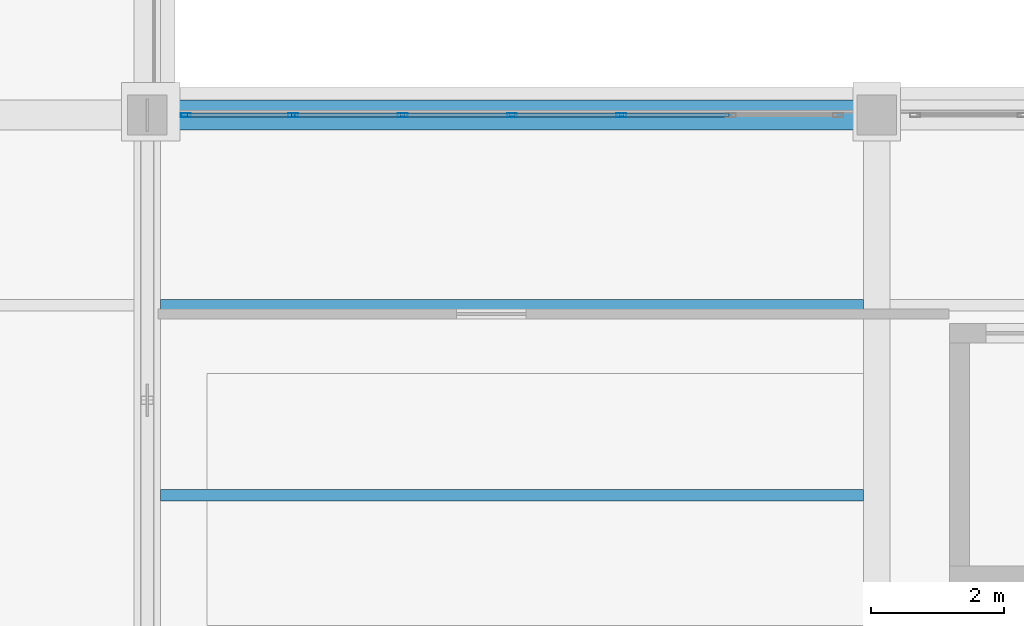
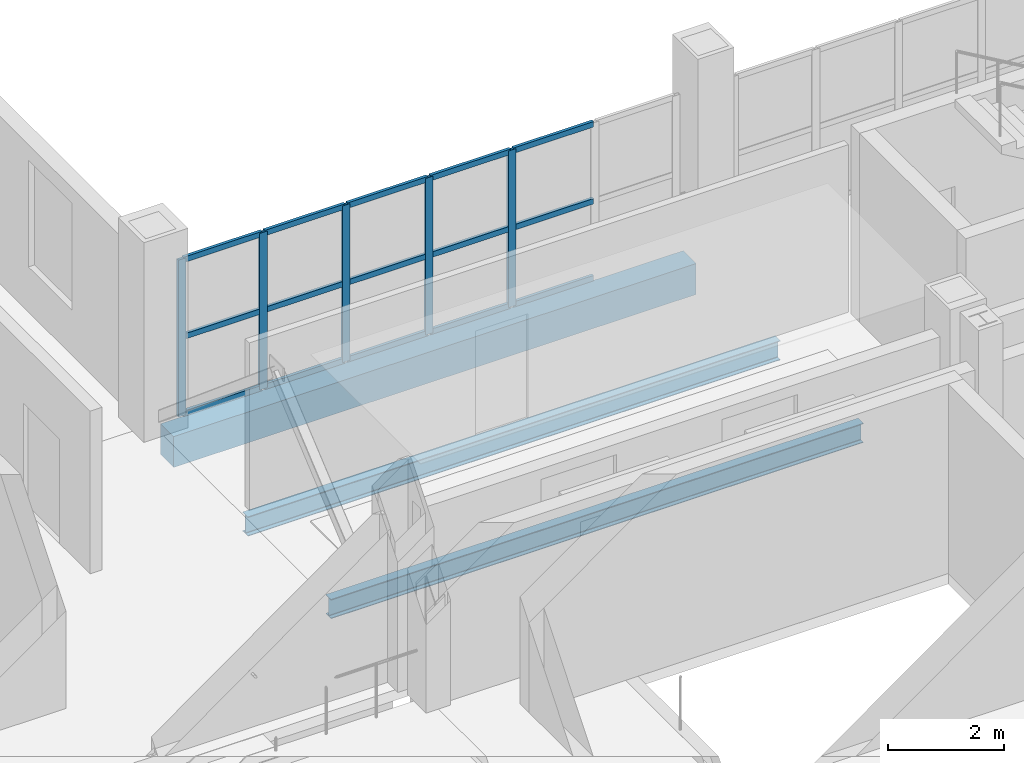
# One storey, part 53 of 120: 20 members, 3 beams, 1 element without a shape of its own.
"""IFC4 building model written with IfcOpenShell, lengths in metres."""

import ifcopenshell
import ifcopenshell.guid

model = None  # the IFC model being written
_history = None  # IfcOwnerHistory: only IFC2X3 demands one
_inside = {}  # id of a spatial element -> (the spatial element, [elements in it])
_under = {}  # id of a project, library or spatial element -> (it, [spatial elements below it])
_declared = {}  # id of a project -> (the project, [libraries it declares])
_typed = {}  # id of a type object -> (the type object, [elements of that type])
_made_of = {}  # id of a material, layer set ... -> (it, [elements and type objects made of it])


def new_model(schema):
    """Start an empty IFC model of exactly this schema.

    Asked for "IFC4X3", IfcOpenShell would pick the latest addendum, in which some entities
    have other attributes; the version numbers below select the first issue.
    IFC2X3 requires an IfcOwnerHistory on every rooted entity: one is made here for all.
    """
    global model, _history
    if schema == "IFC4X3":
        model = ifcopenshell.file(schema_version=(4, 3, 0, 0))
    else:
        model = ifcopenshell.file(schema=schema)
    _inside.clear()
    _under.clear()
    _declared.clear()
    _typed.clear()
    _made_of.clear()
    _history = None
    if model.schema == "IFC2X3":
        org = make("IfcOrganization", Name="unknown")
        user = make(
            "IfcPersonAndOrganization",
            ThePerson=make("IfcPerson", FamilyName="unknown"),
            TheOrganization=org,
        )
        app = make(
            "IfcApplication",
            ApplicationDeveloper=org,
            Version="unknown",
            ApplicationFullName="unknown",
            ApplicationIdentifier="unknown",
        )
        _history = make(
            "IfcOwnerHistory",
            OwningUser=user,
            OwningApplication=app,
            ChangeAction="ADDED",
            CreationDate=0,
        )
    return model


def make(cls, **values):
    """One entity of the class cls with the attributes given. An attribute that is None is left unset."""
    return model.create_entity(
        cls, **{name: value for name, value in values.items() if value is not None}
    )


def rooted(cls, **values):
    """An entity with a GlobalId (a new one), such as an element, a storey or a relation."""
    return make(cls, GlobalId=ifcopenshell.guid.new(), OwnerHistory=_history, **values)


def si_unit(unit_type, name, prefix=None):
    """IfcSIUnit, for example si_unit("LENGTHUNIT", "METRE", prefix="MILLI")."""
    return make("IfcSIUnit", UnitType=unit_type, Prefix=prefix, Name=name)


def assignment(units):
    """IfcUnitAssignment: the units of a project."""
    return None if units is None else make("IfcUnitAssignment", Units=units)


def point(xyz):
    """IfcCartesianPoint."""
    return None if xyz is None else make("IfcCartesianPoint", Coordinates=xyz)


def direction(xyz):
    """IfcDirection."""
    return None if xyz is None else make("IfcDirection", DirectionRatios=xyz)


def frame(location, z_axis=None, x_axis=None):
    """IfcAxis2Placement3D, a coordinate frame: its origin and axes. An axis left out is left unset."""
    return make(
        "IfcAxis2Placement3D",
        Location=point(location),
        Axis=direction(z_axis),
        RefDirection=direction(x_axis),
    )


def frame_2d(location, x_axis=None):
    """IfcAxis2Placement2D, a coordinate frame in the plane: its origin and x axis."""
    return make(
        "IfcAxis2Placement2D", Location=point(location), RefDirection=direction(x_axis)
    )


def origin():
    """The frame at (0, 0, 0) with its axes left unset."""
    return frame((0.0, 0.0, 0.0))


def origin_2d():
    """The frame at (0, 0) in the plane with its x axis left unset."""
    return frame_2d((0.0, 0.0))


def place(relative_to, where):
    """IfcLocalPlacement: puts the frame where relative to a parent placement (None: the world)."""
    return make(
        "IfcLocalPlacement", PlacementRelTo=relative_to, RelativePlacement=where
    )


def context(
    kind, dimensions, precision=None, world=None, true_north=None, identifier=None
):
    """IfcGeometricRepresentationContext, for example the 3D "Model" context."""
    return make(
        "IfcGeometricRepresentationContext",
        ContextIdentifier=identifier,
        ContextType=kind,
        CoordinateSpaceDimension=dimensions,
        Precision=precision,
        WorldCoordinateSystem=world,
        TrueNorth=true_north,
    )


def subcontext(parent, identifier, kind, view, scale=None):
    """IfcGeometricRepresentationSubContext, for example "Body" below "Model"."""
    return make(
        "IfcGeometricRepresentationSubContext",
        ContextIdentifier=identifier,
        ContextType=kind,
        ParentContext=parent,
        TargetScale=scale,
        TargetView=view,
    )


def project(units=None, contexts=None):
    """IfcProject with its units and contexts."""
    return rooted(
        "IfcProject",
        Name="project",
        RepresentationContexts=contexts,
        UnitsInContext=assignment(units),
    )


def spatial(cls, under=None, at=None, **own):
    """A site, building, storey or space (cls), placed at a placement, below another one or the project."""
    s = rooted(cls, ObjectPlacement=at, **own)
    if under is not None:
        _under.setdefault(under.id(), (under, []))[1].append(s)
    return s


def profile(cls, at=None, kind="AREA", **sizes):
    """A parametric profile (cls). Its sizes go by their IFC names, for example OverallWidth=200.0."""
    return make(cls, ProfileType=kind, Position=at, **sizes)


def rectangle(**sizes):
    """IfcRectangleProfileDef."""
    return profile("IfcRectangleProfileDef", **sizes)


def hollow_rectangle(**sizes):
    """IfcRectangleHollowProfileDef."""
    return profile("IfcRectangleHollowProfileDef", **sizes)


def i_section(**sizes):
    """IfcIShapeProfileDef."""
    return profile("IfcIShapeProfileDef", **sizes)


def extrude(swept, where, along, depth):
    """IfcExtrudedAreaSolid: the profile swept, set in the frame where, extruded along a direction by depth."""
    return make(
        "IfcExtrudedAreaSolid",
        SweptArea=swept,
        Position=where,
        ExtrudedDirection=direction(along),
        Depth=depth,
    )


def shape(context_of_items, identifier, shape_type, items):
    """IfcShapeRepresentation: the items that make up one representation, for example the "Body"."""
    return make(
        "IfcShapeRepresentation",
        ContextOfItems=context_of_items,
        RepresentationIdentifier=identifier,
        RepresentationType=shape_type,
        Items=items,
    )


def material(Name=None, Category=None):
    """IfcMaterial."""
    return make("IfcMaterial", Name=Name, Category=Category)


def material_profile(
    of_material, cross_section, Name=None, Category=None, Priority=None
):
    """IfcMaterialProfile: a cross section and its material."""
    return make(
        "IfcMaterialProfile",
        Name=Name,
        Material=of_material,
        Profile=cross_section,
        Priority=Priority,
        Category=Category,
    )


def profile_set(profiles, Name=None, composite=None):
    """IfcMaterialProfileSet."""
    return make(
        "IfcMaterialProfileSet",
        Name=Name,
        MaterialProfiles=profiles,
        CompositeProfile=composite,
    )


def made_of(thing, what):
    """Note that an element or type object is made of a material, layer set ...; save() writes the relation."""
    if what is not None:
        _made_of.setdefault(what.id(), (what, []))[1].append(thing)
    return thing


def type_object(cls, material=None, **own):
    """A type object (cls), such as IfcWallType, which elements share."""
    return made_of(rooted(cls, **own), material)


def element(
    cls,
    number,
    at=None,
    inside=None,
    cuts=None,
    type_object=None,
    material=None,
    context=None,
    identifier="Body",
    shape_type=None,
    held_by="IfcProductDefinitionShape",
    body=None,
    shapes=None,
    **own,
):
    """One element of the class cls, such as IfcWall. Its Tag is "e" and its number.

    at: its placement. inside: the storey or other place that contains it. cuts: it is an
    opening in that element (IfcRelVoidsElement). A single representation is given by context,
    identifier, shape_type and body (its items); several are given by shapes. held_by: the class
    of the entity that holds the representations. save() writes the other relations.
    """
    e = rooted(cls, Tag="e%d" % number, ObjectPlacement=at, **own)
    if body is not None:
        shapes = [shape(context, identifier, shape_type, body)]
    if shapes is not None:
        e.Representation = make(held_by, Representations=shapes)
    if inside is not None:
        _inside.setdefault(inside.id(), (inside, []))[1].append(e)
    if cuts is not None:
        rooted(
            "IfcRelVoidsElement", RelatingBuildingElement=cuts, RelatedOpeningElement=e
        )
    if type_object is not None:
        _typed.setdefault(type_object.id(), (type_object, []))[1].append(e)
    return made_of(e, material)


def aggregate(whole, parts):
    """IfcRelAggregates: a whole, such as a stair, and the parts it consists of."""
    return rooted("IfcRelAggregates", RelatingObject=whole, RelatedObjects=parts)


def save(model, path):
    """Write the relations noted so far, then the file.

    IfcRelAggregates (storeys below a building ...), IfcRelContainedInSpatialStructure (elements
    in a storey), IfcRelDefinesByType, IfcRelAssociatesMaterial and IfcRelDeclares: one each for
    every whole, place, type object, material and project.
    """
    for whole, parts in _under.values():
        aggregate(whole, parts)
    for where, things in _inside.values():
        rooted(
            "IfcRelContainedInSpatialStructure",
            RelatedElements=things,
            RelatingStructure=where,
        )
    for kind, things in _typed.values():
        rooted("IfcRelDefinesByType", RelatedObjects=things, RelatingType=kind)
    for what, things in _made_of.values():
        rooted("IfcRelAssociatesMaterial", RelatedObjects=things, RelatingMaterial=what)
    for by, libraries in _declared.values():
        rooted("IfcRelDeclares", RelatingContext=by, RelatedDefinitions=libraries)
    model.write(path)


model = new_model("IFC4")

# Units and contexts
model_context = context("Model", 3, precision=1e-05, world=origin(), true_north=direction((0.0, 1.0)))
body_context = subcontext(model_context, "Body", "Model", "MODEL_VIEW")
ifc_project = project(units=[si_unit("LENGTHUNIT", "METRE"), si_unit("AREAUNIT", "SQUARE_METRE"), si_unit("VOLUMEUNIT", "CUBIC_METRE"), si_unit("PLANEANGLEUNIT", "RADIAN"), si_unit("MASSUNIT", "GRAM", prefix="KILO")], contexts=[model_context])

# Site, building, storey
site_placement = place(None, origin())
site = spatial("IfcSite", under=ifc_project, at=site_placement, CompositionType="ELEMENT")
building_placement = place(site_placement, origin())
building = spatial("IfcBuilding", under=site, at=building_placement, Name="Caurita Quay Ferry Terminal", CompositionType="ELEMENT")
storey_placement = place(building_placement, frame((0.0, 0.0, 9.89990234375)))
storey = spatial("IfcBuildingStorey", under=building, at=storey_placement, Name="L02", CompositionType="ELEMENT", Elevation=9.89990234375)

# Beams
ifc_material_1 = material(Name="Structural steel ASTM A992 Gr. 50", Category="steel")
ifc_material_profile_1 = material_profile(ifc_material_1, i_section(OverallWidth=0.1787109375, OverallDepth=0.408935546875, WebThickness=0.0087890625, FlangeThickness=0.014404296875, FilletRadius=0.011474609375, at=origin_2d()), Name="W16X45")
ifc_profile_set_1 = profile_set([ifc_material_profile_1], Name="Structural steel ASTM A992 Gr. 50")
beam_type_1 = type_object("IfcBeamType", Name="BM-JS-W16A", PredefinedType="JOIST", material=ifc_profile_set_1)
for number, where, z_axis, x_axis, name in (
    (1, (22.199951171875, 74.466796875, -0.42431640625), (1.0, 0.0, 0.0), (0.0, 1.0, 0.0), "L02 Beam JS-V5-L02-023"),
    (2, (22.199951171875, 77.333251953125, -0.42431640625), (1.0, 0.0, 0.0), (0.0, 1.0, 0.0), "L02 Beam JS-V5-L02-024"),
):
    element("IfcBeam", number, at=place(storey_placement, frame(where, z_axis=z_axis, x_axis=x_axis)), inside=storey, type_object=beam_type_1, Name=name, PredefinedType="JOIST", context=body_context, shape_type="SweptSolid", body=[
        extrude(i_section(OverallWidth=0.1787109375, OverallDepth=0.408935546875, WebThickness=0.0087890625, FlangeThickness=0.014404296875, FilletRadius=0.011474609375, at=origin_2d()), origin(), (0.0, 0.0, 1.0), 10.60009765625),
    ])
ifc_material_2 = material(Name="Reinforced concrete C35/45", Category="concrete")
ifc_material_profile_2 = material_profile(ifc_material_2, rectangle(XDim=0.449951171875, YDim=0.64990234375, at=origin_2d()), Name="RC-BM-450X650")
ifc_profile_set_2 = profile_set([ifc_material_profile_2], Name="Reinforced concrete C35/45")
beam_type_2 = type_object("IfcBeamType", Name="BM-RC-4565", PredefinedType="BEAM", material=ifc_profile_set_2)
beam_placement = place(storey_placement, frame((22.297607421875, 80.199951171875, -0.544921875), z_axis=(1.0, 0.0, 0.0), x_axis=(0.0, 1.0, 0.0)))
element("IfcBeam", 3, at=beam_placement, inside=storey, type_object=beam_type_2, Name="L02 Beam BM-V5-L02-X-223-802", PredefinedType="BEAM", context=body_context, shape_type="SweptSolid", body=[
    extrude(rectangle(XDim=0.449951171875, YDim=0.64990234375, at=origin_2d()), origin(), (0.0, 0.0, 1.0), 10.40478515625),
])

# Curtain wall, members
ifc_material_3 = material(Name="Laminated solar-control insulated glass", Category="glass")
curtain_wall_type = type_object("IfcCurtainWallType", Name="CW-SYS-24", PredefinedType="NOTDEFINED", material=ifc_material_3)
curtain_wall_placement = place(storey_placement, origin())
curtain_wall = element("IfcCurtainWall", 4, at=curtain_wall_placement, inside=storey, type_object=curtain_wall_type, Name="L02 Courtyard Cloister Storefront 164", PredefinedType="NOTDEFINED")
ifc_material_4 = material(Name="Anodized aluminium 6063-T6", Category="aluminium")
ifc_material_profile_3 = material_profile(ifc_material_4, hollow_rectangle(XDim=0.06005859375, YDim=0.14990234375, WallThickness=0.00341796875, at=origin_2d()), Name="ALU-MUL-60X150")
ifc_profile_set_3 = profile_set([ifc_material_profile_3], Name="Anodized aluminium 6063-T6")
member_type_1 = type_object("IfcMemberType", Name="CW-MUL-150", PredefinedType="MULLION", material=ifc_profile_set_3)
member_1_placement = place(storey_placement, frame((22.580078125, 80.199951171875, 0.0), z_axis=(0.0, 0.0, 1.0), x_axis=(0.0, 1.0, 0.0)))
member_1 = element("IfcMember", 5, at=member_1_placement, type_object=member_type_1, Name="CW-CRT-164 Mullion 1", PredefinedType="MULLION", context=body_context, shape_type="SweptSolid", body=[
    extrude(hollow_rectangle(XDim=0.06005859375, YDim=0.14990234375, WallThickness=0.00341796875, at=origin_2d()), origin(), (0.0, 0.0, 1.0), 3.300048828125),
])
member_2_placement = place(storey_placement, frame((24.199951171875, 80.199951171875, 0.0), z_axis=(0.0, 0.0, 1.0), x_axis=(0.0, 1.0, 0.0)))
member_2 = element("IfcMember", 6, at=member_2_placement, type_object=member_type_1, Name="CW-CRT-164 Mullion 2", PredefinedType="MULLION", context=body_context, shape_type="SweptSolid", body=[
    extrude(hollow_rectangle(XDim=0.06005859375, YDim=0.14990234375, WallThickness=0.00341796875, at=origin_2d()), origin(), (0.0, 0.0, 1.0), 3.300048828125),
])
member_3_placement = place(storey_placement, frame((25.85009765625, 80.199951171875, 0.0), z_axis=(0.0, 0.0, 1.0), x_axis=(0.0, 1.0, 0.0)))
member_3 = element("IfcMember", 7, at=member_3_placement, type_object=member_type_1, Name="CW-CRT-164 Mullion 3", PredefinedType="MULLION", context=body_context, shape_type="SweptSolid", body=[
    extrude(hollow_rectangle(XDim=0.06005859375, YDim=0.14990234375, WallThickness=0.00341796875, at=origin_2d()), origin(), (0.0, 0.0, 1.0), 3.300048828125),
])
member_4_placement = place(storey_placement, frame((27.5, 80.199951171875, 0.0), z_axis=(0.0, 0.0, 1.0), x_axis=(0.0, 1.0, 0.0)))
member_4 = element("IfcMember", 8, at=member_4_placement, type_object=member_type_1, Name="CW-CRT-164 Mullion 4", PredefinedType="MULLION", context=body_context, shape_type="SweptSolid", body=[
    extrude(hollow_rectangle(XDim=0.06005859375, YDim=0.14990234375, WallThickness=0.00341796875, at=origin_2d()), origin(), (0.0, 0.0, 1.0), 3.300048828125),
])
member_5_placement = place(storey_placement, frame((29.14990234375, 80.199951171875, 0.0), z_axis=(0.0, 0.0, 1.0), x_axis=(0.0, 1.0, 0.0)))
member_5 = element("IfcMember", 9, at=member_5_placement, type_object=member_type_1, Name="CW-CRT-164 Mullion 5", PredefinedType="MULLION", context=body_context, shape_type="SweptSolid", body=[
    extrude(hollow_rectangle(XDim=0.06005859375, YDim=0.14990234375, WallThickness=0.00341796875, at=origin_2d()), origin(), (0.0, 0.0, 1.0), 3.300048828125),
])
ifc_material_profile_4 = material_profile(ifc_material_4, hollow_rectangle(XDim=0.06005859375, YDim=0.114990234375, WallThickness=0.00341796875, at=origin_2d()), Name="ALU-TRN-60X115")
ifc_profile_set_4 = profile_set([ifc_material_profile_4], Name="Anodized aluminium 6063-T6")
member_type_2 = type_object("IfcMemberType", Name="CW-TRN-115", PredefinedType="USERDEFINED", material=ifc_profile_set_4)
member_6_placement = place(storey_placement, frame((22.60791015625, 80.199951171875, 0.030029296875), z_axis=(1.0, 0.0, 0.0), x_axis=(0.0, 1.0, 0.0)))
member_6 = element("IfcMember", 10, at=member_6_placement, type_object=member_type_2, Name="CW-CRT-164 Transom 1", ObjectType="TRANSOM", PredefinedType="USERDEFINED", context=body_context, shape_type="SweptSolid", body=[
    extrude(hollow_rectangle(XDim=0.06005859375, YDim=0.114990234375, WallThickness=0.00341796875, at=origin_2d()), origin(), (0.0, 0.0, 1.0), 1.564208984375),
])
member_7_placement = place(storey_placement, frame((22.60791015625, 80.199951171875, 1.650146484375), z_axis=(1.0, 0.0, 0.0), x_axis=(0.0, 1.0, 0.0)))
member_7 = element("IfcMember", 11, at=member_7_placement, type_object=member_type_2, Name="CW-CRT-164 Transom 2", ObjectType="TRANSOM", PredefinedType="USERDEFINED", context=body_context, shape_type="SweptSolid", body=[
    extrude(hollow_rectangle(XDim=0.06005859375, YDim=0.114990234375, WallThickness=0.00341796875, at=origin_2d()), origin(), (0.0, 0.0, 1.0), 1.564208984375),
])
member_8_placement = place(storey_placement, frame((22.60791015625, 80.199951171875, 3.27001953125), z_axis=(1.0, 0.0, 0.0), x_axis=(0.0, 1.0, 0.0)))
member_8 = element("IfcMember", 12, at=member_8_placement, type_object=member_type_2, Name="CW-CRT-164 Transom 3", ObjectType="TRANSOM", PredefinedType="USERDEFINED", context=body_context, shape_type="SweptSolid", body=[
    extrude(hollow_rectangle(XDim=0.06005859375, YDim=0.114990234375, WallThickness=0.00341796875, at=origin_2d()), origin(), (0.0, 0.0, 1.0), 1.564208984375),
])
member_9_placement = place(storey_placement, frame((24.22802734375, 80.199951171875, 0.030029296875), z_axis=(1.0, 0.0, 0.0), x_axis=(0.0, 1.0, 0.0)))
member_9 = element("IfcMember", 13, at=member_9_placement, type_object=member_type_2, Name="CW-CRT-164 Transom 4", ObjectType="TRANSOM", PredefinedType="USERDEFINED", context=body_context, shape_type="SweptSolid", body=[
    extrude(hollow_rectangle(XDim=0.06005859375, YDim=0.114990234375, WallThickness=0.00341796875, at=origin_2d()), origin(), (0.0, 0.0, 1.0), 1.593994140625),
])
member_10_placement = place(storey_placement, frame((24.22802734375, 80.199951171875, 1.650146484375), z_axis=(1.0, 0.0, 0.0), x_axis=(0.0, 1.0, 0.0)))
member_10 = element("IfcMember", 14, at=member_10_placement, type_object=member_type_2, Name="CW-CRT-164 Transom 5", ObjectType="TRANSOM", PredefinedType="USERDEFINED", context=body_context, shape_type="SweptSolid", body=[
    extrude(hollow_rectangle(XDim=0.06005859375, YDim=0.114990234375, WallThickness=0.00341796875, at=origin_2d()), origin(), (0.0, 0.0, 1.0), 1.593994140625),
])
member_11_placement = place(storey_placement, frame((24.22802734375, 80.199951171875, 3.27001953125), z_axis=(1.0, 0.0, 0.0), x_axis=(0.0, 1.0, 0.0)))
member_11 = element("IfcMember", 15, at=member_11_placement, type_object=member_type_2, Name="CW-CRT-164 Transom 6", ObjectType="TRANSOM", PredefinedType="USERDEFINED", context=body_context, shape_type="SweptSolid", body=[
    extrude(hollow_rectangle(XDim=0.06005859375, YDim=0.114990234375, WallThickness=0.00341796875, at=origin_2d()), origin(), (0.0, 0.0, 1.0), 1.593994140625),
])
member_12_placement = place(storey_placement, frame((25.8779296875, 80.199951171875, 0.030029296875), z_axis=(1.0, 0.0, 0.0), x_axis=(0.0, 1.0, 0.0)))
member_12 = element("IfcMember", 16, at=member_12_placement, type_object=member_type_2, Name="CW-CRT-164 Transom 7", ObjectType="TRANSOM", PredefinedType="USERDEFINED", context=body_context, shape_type="SweptSolid", body=[
    extrude(hollow_rectangle(XDim=0.06005859375, YDim=0.114990234375, WallThickness=0.00341796875, at=origin_2d()), origin(), (0.0, 0.0, 1.0), 1.593994140625),
])
member_13_placement = place(storey_placement, frame((25.8779296875, 80.199951171875, 1.650146484375), z_axis=(1.0, 0.0, 0.0), x_axis=(0.0, 1.0, 0.0)))
member_13 = element("IfcMember", 17, at=member_13_placement, type_object=member_type_2, Name="CW-CRT-164 Transom 8", ObjectType="TRANSOM", PredefinedType="USERDEFINED", context=body_context, shape_type="SweptSolid", body=[
    extrude(hollow_rectangle(XDim=0.06005859375, YDim=0.114990234375, WallThickness=0.00341796875, at=origin_2d()), origin(), (0.0, 0.0, 1.0), 1.593994140625),
])
member_14_placement = place(storey_placement, frame((25.8779296875, 80.199951171875, 3.27001953125), z_axis=(1.0, 0.0, 0.0), x_axis=(0.0, 1.0, 0.0)))
member_14 = element("IfcMember", 18, at=member_14_placement, type_object=member_type_2, Name="CW-CRT-164 Transom 9", ObjectType="TRANSOM", PredefinedType="USERDEFINED", context=body_context, shape_type="SweptSolid", body=[
    extrude(hollow_rectangle(XDim=0.06005859375, YDim=0.114990234375, WallThickness=0.00341796875, at=origin_2d()), origin(), (0.0, 0.0, 1.0), 1.593994140625),
])
member_15_placement = place(storey_placement, frame((27.528076171875, 80.199951171875, 0.030029296875), z_axis=(1.0, 0.0, 0.0), x_axis=(0.0, 1.0, 0.0)))
member_15 = element("IfcMember", 19, at=member_15_placement, type_object=member_type_2, Name="CW-CRT-164 Transom 10", ObjectType="TRANSOM", PredefinedType="USERDEFINED", context=body_context, shape_type="SweptSolid", body=[
    extrude(hollow_rectangle(XDim=0.06005859375, YDim=0.114990234375, WallThickness=0.00341796875, at=origin_2d()), origin(), (0.0, 0.0, 1.0), 1.593994140625),
])
member_16_placement = place(storey_placement, frame((27.528076171875, 80.199951171875, 1.650146484375), z_axis=(1.0, 0.0, 0.0), x_axis=(0.0, 1.0, 0.0)))
member_16 = element("IfcMember", 20, at=member_16_placement, type_object=member_type_2, Name="CW-CRT-164 Transom 11", ObjectType="TRANSOM", PredefinedType="USERDEFINED", context=body_context, shape_type="SweptSolid", body=[
    extrude(hollow_rectangle(XDim=0.06005859375, YDim=0.114990234375, WallThickness=0.00341796875, at=origin_2d()), origin(), (0.0, 0.0, 1.0), 1.593994140625),
])
member_17_placement = place(storey_placement, frame((27.528076171875, 80.199951171875, 3.27001953125), z_axis=(1.0, 0.0, 0.0), x_axis=(0.0, 1.0, 0.0)))
member_17 = element("IfcMember", 21, at=member_17_placement, type_object=member_type_2, Name="CW-CRT-164 Transom 12", ObjectType="TRANSOM", PredefinedType="USERDEFINED", context=body_context, shape_type="SweptSolid", body=[
    extrude(hollow_rectangle(XDim=0.06005859375, YDim=0.114990234375, WallThickness=0.00341796875, at=origin_2d()), origin(), (0.0, 0.0, 1.0), 1.593994140625),
])
member_18_placement = place(storey_placement, frame((29.177978515625, 80.199951171875, 0.030029296875), z_axis=(1.0, 0.0, 0.0), x_axis=(0.0, 1.0, 0.0)))
member_18 = element("IfcMember", 22, at=member_18_placement, type_object=member_type_2, Name="CW-CRT-164 Transom 13", ObjectType="TRANSOM", PredefinedType="USERDEFINED", context=body_context, shape_type="SweptSolid", body=[
    extrude(hollow_rectangle(XDim=0.06005859375, YDim=0.114990234375, WallThickness=0.00341796875, at=origin_2d()), origin(), (0.0, 0.0, 1.0), 1.593994140625),
])
member_19_placement = place(storey_placement, frame((29.177978515625, 80.199951171875, 1.650146484375), z_axis=(1.0, 0.0, 0.0), x_axis=(0.0, 1.0, 0.0)))
member_19 = element("IfcMember", 23, at=member_19_placement, type_object=member_type_2, Name="CW-CRT-164 Transom 14", ObjectType="TRANSOM", PredefinedType="USERDEFINED", context=body_context, shape_type="SweptSolid", body=[
    extrude(hollow_rectangle(XDim=0.06005859375, YDim=0.114990234375, WallThickness=0.00341796875, at=origin_2d()), origin(), (0.0, 0.0, 1.0), 1.593994140625),
])
member_20_placement = place(storey_placement, frame((29.177978515625, 80.199951171875, 3.27001953125), z_axis=(1.0, 0.0, 0.0), x_axis=(0.0, 1.0, 0.0)))
member_20 = element("IfcMember", 24, at=member_20_placement, type_object=member_type_2, Name="CW-CRT-164 Transom 15", ObjectType="TRANSOM", PredefinedType="USERDEFINED", context=body_context, shape_type="SweptSolid", body=[
    extrude(hollow_rectangle(XDim=0.06005859375, YDim=0.114990234375, WallThickness=0.00341796875, at=origin_2d()), origin(), (0.0, 0.0, 1.0), 1.593994140625),
])
aggregate(curtain_wall, [member_1, member_2, member_3, member_4, member_5, member_6, member_7, member_8, member_9, member_10, member_11, member_12, member_13, member_14, member_15, member_16, member_17, member_18, member_19, member_20])

save(model, "model.ifc")
